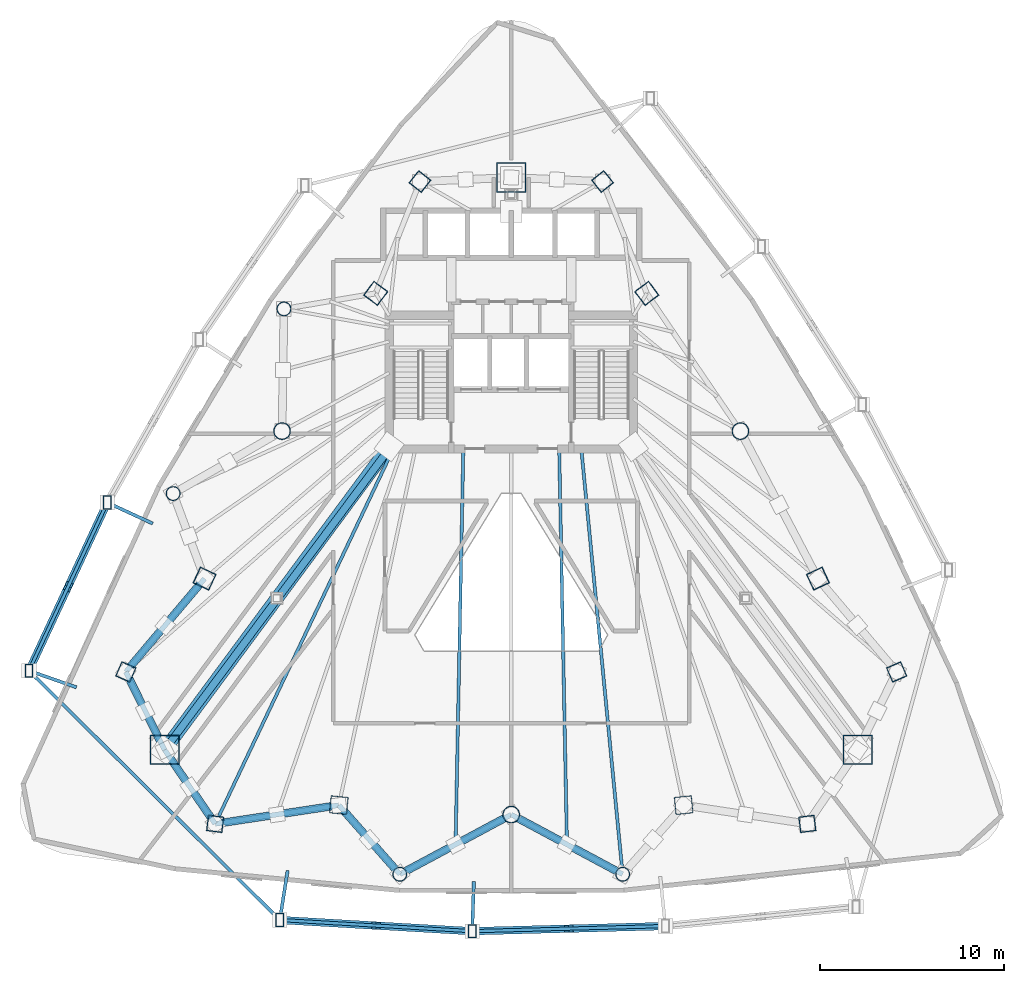
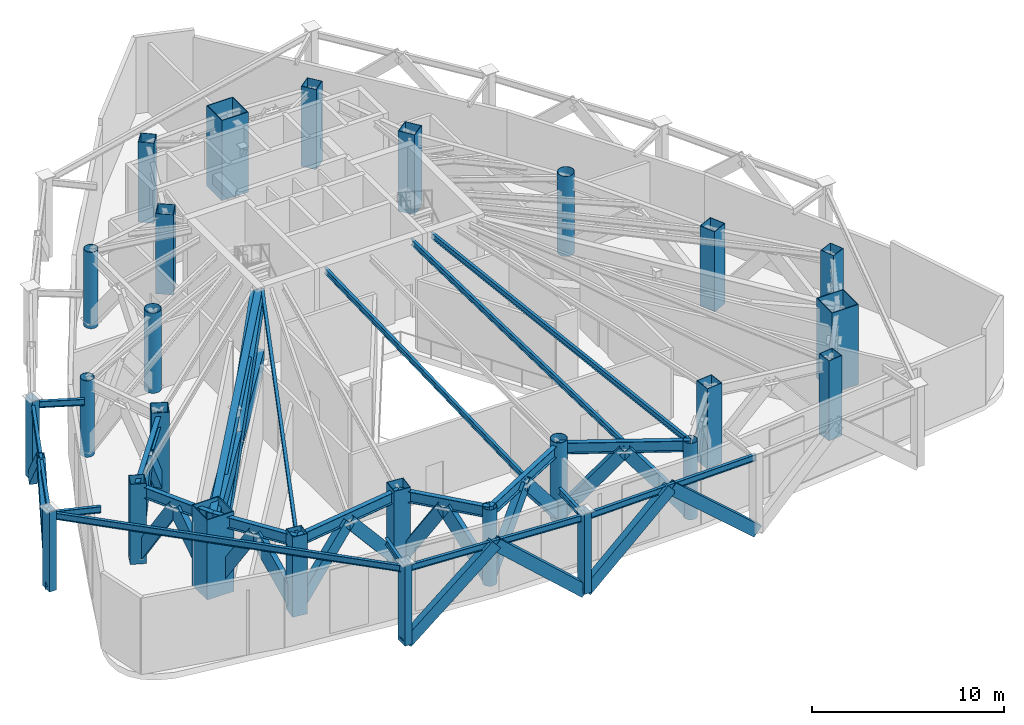
# One storey, part 1 of 10: 26 members, 22 columns, 20 beams.
"""IFC4 building model written with IfcOpenShell, lengths in metres."""

from ifc_helpers import new_model, si_unit, direction, frame, origin, origin_2d, place, context, subcontext, project, spatial, hollow_rectangle, hollow_circle, i_section, extrude, material, material_profile, profile_set, type_object, element, save


model = new_model("IFC4")

# Units and contexts
model_context = context("Model", 3, precision=1e-05, world=origin(), true_north=direction((0.0, 1.0)))
body_context = subcontext(model_context, "Body", "Model", "MODEL_VIEW")
ifc_project = project(units=[si_unit("LENGTHUNIT", "METRE"), si_unit("AREAUNIT", "SQUARE_METRE"), si_unit("VOLUMEUNIT", "CUBIC_METRE"), si_unit("PLANEANGLEUNIT", "RADIAN"), si_unit("MASSUNIT", "GRAM", prefix="KILO")], contexts=[model_context])

# Site, building, storey
site_placement = place(None, origin())
site = spatial("IfcSite", under=ifc_project, at=site_placement, CompositionType="ELEMENT")
building_placement = place(site_placement, origin())
building = spatial("IfcBuilding", under=site, at=building_placement, Name="Orvanel Arch Residences", CompositionType="ELEMENT")
storey_placement = place(building_placement, frame((0.0, 0.0, 101.60009765625)))
storey = spatial("IfcBuildingStorey", under=building, at=storey_placement, Name="L28", CompositionType="ELEMENT", Elevation=101.60009765625)

# Columns
ifc_material_1 = material(Name="Structural steel AS/NZS 1163 C450L0 (Grade 450)", Category="steel")
ifc_material_profile_1 = material_profile(ifc_material_1, hollow_circle(Radius=0.381103515625, WallThickness=0.02197265625, at=origin_2d()), Name="CHS762x22")
ifc_profile_set_1 = profile_set([ifc_material_profile_1], Name="Structural steel AS/NZS 1163 C450L0 (Grade 450)")
column_type_1 = type_object("IfcColumnType", Name="CC-762", PredefinedType="COLUMN", material=ifc_profile_set_1)
for number, where, z_axis, x_axis, name in (
    (1, (20.669921875, 34.27099609375, 0.0), (0.0, 0.0, 1.0), (1.0, 0.0, 0.0), "L28 Low-Rise Buttress Tube Column 01"),
    (2, (14.662109375, 24.256103515625, 0.0), (0.0, 0.0, 1.0), (1.0, 0.0, 0.0), "L28 Low-Rise Buttress Tube Column 02"),
    (3, (26.9580078125, 3.60498046875, 0.0), (0.0, 0.0, 1.0), (1.0, 0.0, 0.0), "L28 Low-Rise Buttress Tube Column 03"),
    (4, (39.0419921875, 3.60498046875, 0.0), (0.0, 0.0, 1.0), (1.0, 0.0, 0.0), "L28 Low-Rise Buttress Tube Column 04"),
):
    element("IfcColumn", number, at=place(storey_placement, frame(where, z_axis=z_axis, x_axis=x_axis)), inside=storey, type_object=column_type_1, Name=name, PredefinedType="COLUMN", context=body_context, shape_type="SweptSolid", body=[
        extrude(hollow_circle(Radius=0.381103515625, WallThickness=0.02197265625, at=origin_2d()), origin(), (0.0, 0.0, 1.0), 4.85986328125),
    ])
ifc_material_profile_2 = material_profile(ifc_material_1, hollow_circle(Radius=0.45703125, WallThickness=0.02490234375, at=origin_2d()), Name="CHS914x25")
ifc_profile_set_2 = profile_set([ifc_material_profile_2], Name="Structural steel AS/NZS 1163 C450L0 (Grade 450)")
column_type_2 = type_object("IfcColumnType", Name="CC-914", PredefinedType="COLUMN", material=ifc_profile_set_2)
for number, where, z_axis, x_axis, name in (
    (5, (20.569091796875, 27.64111328125, 0.0), (0.0, 0.0, 1.0), (1.0, 0.0, 0.0), "L28 High-Rise Tube Column 02"),
    (6, (33.0, 6.843994140625, 0.0), (0.0, 0.0, 1.0), (1.0, 0.0, 0.0), "L28 High-Rise Tube Column 05"),
    (7, (45.430908203125, 27.64111328125, 0.0), (0.0, 0.0, 1.0), (1.0, 0.0, 0.0), "L28 High-Rise Tube Column 08"),
):
    element("IfcColumn", number, at=place(storey_placement, frame(where, z_axis=z_axis, x_axis=x_axis)), inside=storey, type_object=column_type_2, Name=name, PredefinedType="COLUMN", context=body_context, shape_type="SweptSolid", body=[
        extrude(hollow_circle(Radius=0.45703125, WallThickness=0.02490234375, at=origin_2d()), origin(), (0.0, 0.0, 1.0), 5.099853515625),
    ])
ifc_material_2 = material(Name="Structural steel AS/NZS 3678 Grade 450", Category="steel")
ifc_material_profile_3 = material_profile(ifc_material_2, hollow_rectangle(XDim=1.60009765625, YDim=1.60009765625, WallThickness=0.050048828125, at=origin_2d()), Name="BOX1600x1600x50")
ifc_profile_set_3 = profile_set([ifc_material_profile_3], Name="Structural steel AS/NZS 3678 Grade 450")
column_type_3 = type_object("IfcColumnType", Name="MC-1600", PredefinedType="COLUMN", material=ifc_profile_set_3)
for number, where, z_axis, x_axis, name in (
    (8, (33.0, 41.39794921875, 0.0), (0.0, 0.0, 1.0), (1.0, 0.0, 0.0), "L28 Corner Mega-Column 1"),
    (9, (14.198974609375, 10.35107421875, 0.0), (0.0, 0.0, 1.0), (1.0, 0.0, 0.0), "L28 Corner Mega-Column 2"),
    (10, (51.801025390625, 10.35107421875, 0.0), (0.0, 0.0, 1.0), (1.0, 0.0, 0.0), "L28 Corner Mega-Column 3"),
):
    element("IfcColumn", number, at=place(storey_placement, frame(where, z_axis=z_axis, x_axis=x_axis)), inside=storey, type_object=column_type_3, Name=name, PredefinedType="COLUMN", context=body_context, shape_type="SweptSolid", body=[
        extrude(hollow_rectangle(XDim=1.60009765625, YDim=1.60009765625, WallThickness=0.050048828125, at=origin_2d()), origin(), (0.0, 0.0, 1.0), 5.099853515625),
    ])
ifc_material_3 = material(Name="Structural steel AS/NZS 3678 Grade 350", Category="steel")
ifc_material_profile_4 = material_profile(ifc_material_3, hollow_rectangle(XDim=0.85009765625, YDim=0.85009765625, WallThickness=0.028076171875, at=origin_2d()), Name="BOX850x850x28")
ifc_profile_set_4 = profile_set([ifc_material_profile_4], Name="Structural steel AS/NZS 3678 Grade 350")
column_type_4 = type_object("IfcColumnType", Name="TC-850", PredefinedType="COLUMN", material=ifc_profile_set_4)
for number, where, z_axis, x_axis, name in (
    (11, (28.050048828125, 41.177978515625, 0.0), (0.0, 0.0, 1.0), (0.623879596709, 0.781520472419, 0.0), "L28 Mid-Rise Buttress Tube Column 01"),
    (12, (12.094970703125, 14.580078125, 0.0), (0.0, 0.0, 1.0), (0.397147890635, 0.917754625684, 0.0), "L28 Mid-Rise Buttress Tube Column 02"),
    (13, (16.94091796875, 6.339111328125, 0.0), (0.0, 0.0, 1.0), (-0.99189444259, 0.127064608601, 0.0), "L28 Mid-Rise Buttress Tube Column 03"),
    (14, (49.05908203125, 6.339111328125, 0.0), (0.0, 0.0, 1.0), (0.99189444259, 0.127064608601, 0.0), "L28 Mid-Rise Buttress Tube Column 04"),
    (15, (53.905029296875, 14.580078125, 0.0), (0.0, 0.0, 1.0), (-0.397147890635, 0.917754625684, 0.0), "L28 Mid-Rise Buttress Tube Column 05"),
    (16, (37.949951171875, 41.177978515625, 0.0), (0.0, 0.0, 1.0), (-0.623879596709, 0.781520472419, 0.0), "L28 Mid-Rise Buttress Tube Column 06"),
):
    element("IfcColumn", number, at=place(storey_placement, frame(where, z_axis=z_axis, x_axis=x_axis)), inside=storey, type_object=column_type_4, Name=name, PredefinedType="COLUMN", context=body_context, shape_type="SweptSolid", body=[
        extrude(hollow_rectangle(XDim=0.85009765625, YDim=0.85009765625, WallThickness=0.028076171875, at=origin_2d()), origin(), (0.0, 0.0, 1.0), 5.099853515625),
    ])
ifc_material_profile_5 = material_profile(ifc_material_3, hollow_rectangle(XDim=0.949951171875, YDim=0.949951171875, WallThickness=0.031982421875, at=origin_2d()), Name="BOX950x950x32")
ifc_profile_set_5 = profile_set([ifc_material_profile_5], Name="Structural steel AS/NZS 3678 Grade 350")
column_type_5 = type_object("IfcColumnType", Name="TC-950", PredefinedType="COLUMN", material=ifc_profile_set_5)
for number, where, z_axis, x_axis, name in (
    (17, (25.64794921875, 35.113037109375, 0.0), (0.0, 0.0, 1.0), (0.600420225326, 0.799684658487, 0.0), "L28 High-Rise Tube Column 01"),
    (18, (16.366943359375, 19.64208984375, 0.0), (0.0, 0.0, 1.0), (0.422618261741, 0.906307787037, 0.0), "L28 High-Rise Tube Column 03"),
    (19, (23.64892578125, 7.35498046875, 0.0), (0.0, 0.0, 1.0), (-0.994880708829, 0.101056297183, 0.0), "L28 High-Rise Tube Column 04"),
    (20, (42.35107421875, 7.35498046875, 0.0), (0.0, 0.0, 1.0), (0.994880708829, 0.101056297183, 0.0), "L28 High-Rise Tube Column 06"),
    (21, (49.633056640625, 19.64208984375, 0.0), (0.0, 0.0, 1.0), (-0.422618261741, 0.906307787037, 0.0), "L28 High-Rise Tube Column 07"),
    (22, (40.35205078125, 35.113037109375, 0.0), (0.0, 0.0, 1.0), (-0.600420225326, 0.799684658487, 0.0), "L28 High-Rise Tube Column 09"),
):
    element("IfcColumn", number, at=place(storey_placement, frame(where, z_axis=z_axis, x_axis=x_axis)), inside=storey, type_object=column_type_5, Name=name, PredefinedType="COLUMN", context=body_context, shape_type="SweptSolid", body=[
        extrude(hollow_rectangle(XDim=0.949951171875, YDim=0.949951171875, WallThickness=0.031982421875, at=origin_2d()), origin(), (0.0, 0.0, 1.0), 5.099853515625),
    ])

# Beams
ifc_material_profile_6 = material_profile(ifc_material_3, i_section(OverallWidth=0.39990234375, OverallDepth=1.02392578125, WebThickness=0.01611328125, FlangeThickness=0.031982421875, at=origin_2d()), Name="1000WB322")
ifc_profile_set_6 = profile_set([ifc_material_profile_6], Name="Structural steel AS/NZS 3678 Grade 350")
beam_type_1 = type_object("IfcBeamType", Name="BG-1000WB", PredefinedType="BEAM", material=ifc_profile_set_6)
beam_1_placement = place(storey_placement, frame((26.375, 26.675048828125, 4.347900390625), z_axis=(-0.597893733742, -0.801575375839, 0.0), x_axis=(0.801575375839, -0.597893733742, 0.0)))
element("IfcBeam", 23, at=beam_1_placement, inside=storey, type_object=beam_type_1, Name="L28 South-West Radial Girder", PredefinedType="BEAM", context=body_context, shape_type="SweptSolid", body=[
    extrude(i_section(OverallWidth=0.39990234375, OverallDepth=1.02392578125, WebThickness=0.01611328125, FlangeThickness=0.031982421875, at=origin_2d()), origin(), (0.0, 0.0, 1.0), 20.36474609375),
])
ifc_material_4 = material(Name="Structural steel AS/NZS 3679.1 Grade 300 (300 MPa)", Category="steel")
ifc_material_profile_7 = material_profile(ifc_material_4, i_section(OverallWidth=0.1708984375, OverallDepth=0.35595703125, WebThickness=0.00732421875, FlangeThickness=0.011474609375, at=origin_2d()), Name="360UB50.7")
ifc_profile_set_7 = profile_set([ifc_material_profile_7], Name="Structural steel AS/NZS 3679.1 Grade 300 (300 MPa)")
beam_type_2 = type_object("IfcBeamType", Name="BJ-360UB", PredefinedType="JOIST", material=ifc_profile_set_7)
for number, where, z_axis, x_axis, name in (
    (24, (30.39990234375, 26.675048828125, 4.681884765625), (-0.019617680075, -0.999807554797, 0.0), (0.999807554797, -0.019617680075, 0.0), "L28 WSW2 Wing Floor Joist"),
    (25, (35.60009765625, 26.675048828125, 4.681884765625), (0.019617680075, -0.999807554797, 0.0), (0.999807554797, 0.019617680075, 0.0), "L28 ESE2 Wing Floor Joist"),
):
    element("IfcBeam", number, at=place(storey_placement, frame(where, z_axis=z_axis, x_axis=x_axis)), inside=storey, type_object=beam_type_2, Name=name, PredefinedType="JOIST", context=body_context, shape_type="SweptSolid", body=[
        extrude(i_section(OverallWidth=0.1708984375, OverallDepth=0.35595703125, WebThickness=0.00732421875, FlangeThickness=0.011474609375, at=origin_2d()), origin(), (0.0, 0.0, 1.0), 21.455078125),
    ])
beam_2_placement = place(storey_placement, frame((26.60009765625, 26.675048828125, 4.681884765625), z_axis=(-0.429042657795, -0.903284228686, 0.0), x_axis=(0.903284228686, -0.429042657795, 0.0)))
element("IfcBeam", 26, at=beam_2_placement, inside=storey, type_object=beam_type_2, Name="L28 MSW Wing Floor Joist", PredefinedType="JOIST", context=body_context, shape_type="SweptSolid", body=[
    extrude(i_section(OverallWidth=0.1708984375, OverallDepth=0.35595703125, WebThickness=0.00732421875, FlangeThickness=0.011474609375, at=origin_2d()), origin(), (0.0, 0.0, 1.0), 22.513427734375),
])
beam_3_placement = place(storey_placement, frame((36.800048828125, 26.675048828125, 4.681884765625), z_axis=(0.096724091756, -0.995311232768, 0.0), x_axis=(0.995311232768, 0.096724091756, 0.0)))
element("IfcBeam", 27, at=beam_3_placement, inside=storey, type_object=beam_type_2, Name="L28 LSE Wing Floor Joist", PredefinedType="JOIST", context=body_context, shape_type="SweptSolid", body=[
    extrude(i_section(OverallWidth=0.1708984375, OverallDepth=0.35595703125, WebThickness=0.00732421875, FlangeThickness=0.011474609375, at=origin_2d()), origin(), (0.0, 0.0, 1.0), 23.1787109375),
])

# Members
ifc_material_profile_8 = material_profile(ifc_material_3, hollow_rectangle(XDim=0.419921875, YDim=0.719970703125, WallThickness=0.02490234375, at=origin_2d()), Name="RHS720x420x25")
ifc_profile_set_8 = profile_set([ifc_material_profile_8], Name="Structural steel AS/NZS 3678 Grade 350")
member_type_1 = type_object("IfcMemberType", Name="BR-720RHS", PredefinedType="BRACE", material=ifc_profile_set_8)
for number, where, z_axis, x_axis, name in (
    (28, (16.366943359375, 19.64208984375, 0.2998046875), (-0.410701245615, -0.486654453456, 0.771033027686), (0.764224490659, -0.644950329775, 0.0), "L28 Belt-Truss Chevron 01.1"),
    (29, (12.094970703125, 14.580078125, 0.2998046875), (0.410701245615, 0.486654453456, 0.771033027686), (-0.764224490659, 0.644950329775, 0.0), "L28 Belt-Truss Chevron 01.2"),
):
    element("IfcMember", number, at=place(storey_placement, frame(where, z_axis=z_axis, x_axis=x_axis)), inside=storey, type_object=member_type_1, Name=name, PredefinedType="BRACE", context=body_context, shape_type="SweptSolid", body=[
        extrude(hollow_rectangle(XDim=0.419921875, YDim=0.719970703125, WallThickness=0.02490234375, at=origin_2d()), origin(), (0.0, 0.0, 1.0), 5.200927734375),
    ])
member_1_placement = place(storey_placement, frame((12.094970703125, 14.580078125, 0.2998046875), z_axis=(0.226062238647, -0.454275452413, 0.861701617494), x_axis=(0.895273400092, 0.44551715914, 0.0)))
element("IfcMember", 30, at=member_1_placement, inside=storey, type_object=member_type_1, Name="L28 Belt-Truss Chevron 02.1", PredefinedType="BRACE", context=body_context, shape_type="SweptSolid", body=[
    extrude(hollow_rectangle(XDim=0.419921875, YDim=0.719970703125, WallThickness=0.02490234375, at=origin_2d()), origin(), (0.0, 0.0, 1.0), 4.653564453125),
])
member_2_placement = place(storey_placement, frame((14.198974609375, 10.35107421875, 0.2998046875), z_axis=(-0.22604068618, 0.454441973631, 0.861619464029), x_axis=(-0.89535544198, -0.445352256665, 0.0)))
element("IfcMember", 31, at=member_2_placement, inside=storey, type_object=member_type_1, Name="L28 Belt-Truss Chevron 02.2", PredefinedType="BRACE", context=body_context, shape_type="SweptSolid", body=[
    extrude(hollow_rectangle(XDim=0.419921875, YDim=0.719970703125, WallThickness=0.02490234375, at=origin_2d()), origin(), (0.0, 0.0, 1.0), 4.654052734375),
])
member_3_placement = place(storey_placement, frame((14.198974609375, 10.35107421875, 0.2998046875), z_axis=(0.292421015586, -0.427853184663, 0.855237745903), x_axis=(0.825595495301, 0.56426241957, 0.0)))
element("IfcMember", 32, at=member_3_placement, inside=storey, type_object=member_type_1, Name="L28 Belt-Truss Chevron 03.1", PredefinedType="BRACE", context=body_context, shape_type="SweptSolid", body=[
    extrude(hollow_rectangle(XDim=0.419921875, YDim=0.719970703125, WallThickness=0.02490234375, at=origin_2d()), origin(), (0.0, 0.0, 1.0), 4.688720703125),
])
member_4_placement = place(storey_placement, frame((16.94091796875, 6.339111328125, 0.2998046875), z_axis=(-0.29237991119, 0.427817159454, 0.855269820355), x_axis=(-0.825610313036, -0.564240738522, 0.0)))
element("IfcMember", 33, at=member_4_placement, inside=storey, type_object=member_type_1, Name="L28 Belt-Truss Chevron 03.2", PredefinedType="BRACE", context=body_context, shape_type="SweptSolid", body=[
    extrude(hollow_rectangle(XDim=0.419921875, YDim=0.719970703125, WallThickness=0.02490234375, at=origin_2d()), origin(), (0.0, 0.0, 1.0), 4.6884765625),
])
for number, where, z_axis, x_axis, name in (
    (34, (16.94091796875, 6.339111328125, 0.2998046875), (0.6385695785, 0.096682539182, 0.763466685607), (-0.149698779423, 0.988731649862, 0.0), "L28 Belt-Truss Chevron 04.1"),
    (35, (23.64892578125, 7.35498046875, 0.2998046875), (-0.6385667081, -0.09672858637, 0.763463253788), (0.149769136012, -0.988720994972, 0.0), "L28 Belt-Truss Chevron 04.2"),
):
    element("IfcMember", number, at=place(storey_placement, frame(where, z_axis=z_axis, x_axis=x_axis)), inside=storey, type_object=member_type_1, Name=name, PredefinedType="BRACE", context=body_context, shape_type="SweptSolid", body=[
        extrude(hollow_rectangle(XDim=0.419921875, YDim=0.719970703125, WallThickness=0.02490234375, at=origin_2d()), origin(), (0.0, 0.0, 1.0), 5.25244140625),
    ])
member_5_placement = place(storey_placement, frame((23.64892578125, 7.35498046875, 0.2998046875), z_axis=(0.350016501555, -0.396771473349, 0.848563990855), x_axis=(0.749909089646, 0.66154089614, 0.0)))
element("IfcMember", 36, at=member_5_placement, inside=storey, type_object=member_type_1, Name="L28 Belt-Truss Chevron 05.1", PredefinedType="BRACE", context=body_context, shape_type="SweptSolid", body=[
    extrude(hollow_rectangle(XDim=0.419921875, YDim=0.719970703125, WallThickness=0.02490234375, at=origin_2d()), origin(), (0.0, 0.0, 1.0), 4.7255859375),
])
member_6_placement = place(storey_placement, frame((26.9580078125, 3.60498046875, 0.2998046875), z_axis=(-0.350197816455, 0.3967427689, 0.848502601455), x_axis=(-0.74971534373, -0.661760457701, 0.0)))
element("IfcMember", 37, at=member_6_placement, inside=storey, type_object=member_type_1, Name="L28 Belt-Truss Chevron 05.2", PredefinedType="BRACE", context=body_context, shape_type="SweptSolid", body=[
    extrude(hollow_rectangle(XDim=0.419921875, YDim=0.719970703125, WallThickness=0.02490234375, at=origin_2d()), origin(), (0.0, 0.0, 1.0), 4.72607421875),
])
member_7_placement = place(storey_placement, frame((26.9580078125, 3.60498046875, 0.2998046875), z_axis=(0.572674059765, 0.306931821914, 0.760156087898), x_axis=(-0.4723913935, 0.881388887692, 0.0)))
element("IfcMember", 38, at=member_7_placement, inside=storey, type_object=member_type_1, Name="L28 Belt-Truss Chevron 06.1", PredefinedType="BRACE", context=body_context, shape_type="SweptSolid", body=[
    extrude(hollow_rectangle(XDim=0.419921875, YDim=0.719970703125, WallThickness=0.02490234375, at=origin_2d()), origin(), (0.0, 0.0, 1.0), 5.275146484375),
])
for number, where, z_axis, x_axis, name in (
    (39, (33.0, 6.843994140625, 0.2998046875), (-0.572649651409, -0.307057575327, 0.760123688734), (0.47255737057, -0.881299910087, 0.0), "L28 Belt-Truss Chevron 06.2"),
    (40, (33.0, 6.843994140625, 0.2998046875), (0.572649651409, -0.307057575327, 0.760123688734), (0.47255737057, 0.881299910087, 0.0), "L28 Belt-Truss Chevron 07.1"),
):
    element("IfcMember", number, at=place(storey_placement, frame(where, z_axis=z_axis, x_axis=x_axis)), inside=storey, type_object=member_type_1, Name=name, PredefinedType="BRACE", context=body_context, shape_type="SweptSolid", body=[
        extrude(hollow_rectangle(XDim=0.419921875, YDim=0.719970703125, WallThickness=0.02490234375, at=origin_2d()), origin(), (0.0, 0.0, 1.0), 5.275390625),
    ])
member_8_placement = place(storey_placement, frame((39.0419921875, 3.60498046875, 0.2998046875), z_axis=(-0.572674059765, 0.306931821914, 0.760156087898), x_axis=(-0.4723913935, -0.881388887692, 0.0)))
element("IfcMember", 41, at=member_8_placement, inside=storey, type_object=member_type_1, Name="L28 Belt-Truss Chevron 07.2", PredefinedType="BRACE", context=body_context, shape_type="SweptSolid", body=[
    extrude(hollow_rectangle(XDim=0.419921875, YDim=0.719970703125, WallThickness=0.02490234375, at=origin_2d()), origin(), (0.0, 0.0, 1.0), 5.275146484375),
])
ifc_material_profile_9 = material_profile(ifc_material_3, hollow_rectangle(XDim=0.419921875, YDim=0.719970703125, WallThickness=0.02490234375, at=origin_2d()), Name="RHS720x420x25")
ifc_profile_set_9 = profile_set([ifc_material_profile_9], Name="Structural steel AS/NZS 3678 Grade 350")
member_type_2 = type_object("IfcMemberType", Name="BR-720RHS-EXT", PredefinedType="BRACE", material=ifc_profile_set_9)
for number, where, z_axis, x_axis, name in (
    (42, (11.092041015625, 23.763916015625, 0.0), (-0.310167059803, -0.664964267279, 0.679425432447), (0.90626125499, -0.422718035698, 0.0), "L28 Exterior Sky-Garden V-Frame Chevron F1B3.1"),
    (43, (6.841064453125, 14.64794921875, 0.0), (0.31003093942, 0.665013515507, 0.679439357702), (-0.906344301858, 0.422539946619, 0.0), "L28 Exterior Sky-Garden V-Frame Chevron F1B3.2"),
):
    element("IfcMember", number, at=place(storey_placement, frame(where, z_axis=z_axis, x_axis=x_axis)), inside=storey, type_object=member_type_2, Name=name, PredefinedType="BRACE", context=body_context, shape_type="SweptSolid", body=[
        extrude(hollow_rectangle(XDim=0.419921875, YDim=0.719970703125, WallThickness=0.02490234375, at=origin_2d()), origin(), (0.0, 0.0, 1.0), 6.854248046875),
    ])
for number, where, z_axis, x_axis, name in (
    (44, (20.447021484375, 1.1259765625, 0.0), (0.745311416504, -0.043423310101, 0.665300915804), (0.058163335433, 0.998307080217, 0.0), "L28 Exterior Sky-Garden V-Frame Chevron F2B1.1"),
    (45, (30.881103515625, 0.51806640625, 0.0), (-0.745311416504, 0.043423310101, 0.665300915804), (-0.058163335433, -0.998307080217, 0.0), "L28 Exterior Sky-Garden V-Frame Chevron F2B1.2"),
):
    element("IfcMember", number, at=place(storey_placement, frame(where, z_axis=z_axis, x_axis=x_axis)), inside=storey, type_object=member_type_2, Name=name, PredefinedType="BRACE", context=body_context, shape_type="SweptSolid", body=[
        extrude(hollow_rectangle(XDim=0.419921875, YDim=0.719970703125, WallThickness=0.02490234375, at=origin_2d()), origin(), (0.0, 0.0, 1.0), 6.999755859375),
    ])
member_9_placement = place(storey_placement, frame((30.881103515625, 0.51806640625, 0.0), z_axis=(0.747256825742, 0.019814023666, 0.664239897061), x_axis=(-0.026506364638, 0.999648644592, 0.0)))
element("IfcMember", 46, at=member_9_placement, inside=storey, type_object=member_type_2, Name="L28 Exterior Sky-Garden V-Frame Chevron F2B2.1", PredefinedType="BRACE", context=body_context, shape_type="SweptSolid", body=[
    extrude(hollow_rectangle(XDim=0.419921875, YDim=0.719970703125, WallThickness=0.02490234375, at=origin_2d()), origin(), (0.0, 0.0, 1.0), 7.010986328125),
])
member_10_placement = place(storey_placement, frame((41.360107421875, 0.7958984375, 0.0), z_axis=(-0.747318327677, -0.019811961443, 0.66417076366), x_axis=(0.02650142819, -0.999648775473, 0.0)))
element("IfcMember", 47, at=member_10_placement, inside=storey, type_object=member_type_2, Name="L28 Exterior Sky-Garden V-Frame Chevron F2B2.2", PredefinedType="BRACE", context=body_context, shape_type="SweptSolid", body=[
    extrude(hollow_rectangle(XDim=0.419921875, YDim=0.719970703125, WallThickness=0.02490234375, at=origin_2d()), origin(), (0.0, 0.0, 1.0), 7.01171875),
])
ifc_material_profile_10 = material_profile(ifc_material_3, hollow_rectangle(XDim=0.419921875, YDim=0.719970703125, WallThickness=0.02490234375, at=origin_2d()), Name="RHS720x420x25")
ifc_profile_set_10 = profile_set([ifc_material_profile_10], Name="Structural steel AS/NZS 3678 Grade 350")
member_type_3 = type_object("IfcMemberType", Name="CH-720RHS-EXT", PredefinedType="CHORD", material=ifc_profile_set_10)
for number, where, z_axis, x_axis, name in (
    (48, (11.092041015625, 23.763916015625, 0.0), (0.0, 0.0, 1.0), (1.0, 0.0, 0.0), "L28 Outer Perimeter Frame Post 03"),
    (49, (6.841064453125, 14.64794921875, 0.0), (0.0, 0.0, 1.0), (1.0, 0.0, 0.0), "L28 Outer Perimeter Frame Post 04"),
    (50, (20.447021484375, 1.1259765625, 0.0), (0.0, 0.0, 1.0), (1.0, 0.0, 0.0), "L28 Outer Perimeter Frame Post 05"),
    (51, (30.881103515625, 0.51806640625, 0.0), (0.0, 0.0, 1.0), (1.0, 0.0, 0.0), "L28 Outer Perimeter Frame Post 06"),
):
    element("IfcMember", number, at=place(storey_placement, frame(where, z_axis=z_axis, x_axis=x_axis)), inside=storey, type_object=member_type_3, Name=name, PredefinedType="CHORD", context=body_context, shape_type="SweptSolid", body=[
        extrude(hollow_rectangle(XDim=0.419921875, YDim=0.719970703125, WallThickness=0.02490234375, at=origin_2d()), origin(), (0.0, 0.0, 1.0), 5.099853515625),
    ])

# Beams
ifc_material_profile_11 = material_profile(ifc_material_4, i_section(OverallWidth=0.177978515625, OverallDepth=0.406005859375, WebThickness=0.0078125, FlangeThickness=0.0126953125, at=origin_2d()), Name="410UB59.7")
ifc_profile_set_11 = profile_set([ifc_material_profile_11], Name="Structural steel AS/NZS 3679.1 Grade 300 (300 MPa)")
beam_type_3 = type_object("IfcBeamType", Name="OB-410UB-EXT", PredefinedType="SPANDREL", material=ifc_profile_set_11)
beam_4_placement = place(storey_placement, frame((13.553955078125, 22.6279296875, 4.656982421875), z_axis=(-0.907998911764, 0.418972524439, 0.0), x_axis=(-0.418972524439, -0.907998911764, 0.0)))
element("IfcBeam", 52, at=beam_4_placement, inside=storey, type_object=beam_type_3, Name="L28 Outer Frame Radial Tie Beam 03", PredefinedType="SPANDREL", context=body_context, shape_type="SweptSolid", body=[
    extrude(i_section(OverallWidth=0.177978515625, OverallDepth=0.406005859375, WebThickness=0.0078125, FlangeThickness=0.0126953125, at=origin_2d()), origin(), (0.0, 0.0, 1.0), 2.71142578125),
])
beam_5_placement = place(storey_placement, frame((11.092041015625, 23.763916015625, 4.656982421875), z_axis=(-0.422628994893, -0.906302782008, 0.0), x_axis=(0.906302782008, -0.422628994893, 0.0)))
element("IfcBeam", 53, at=beam_5_placement, inside=storey, type_object=beam_type_3, Name="L28 Outer Perimeter Floor Ring Beam 03", PredefinedType="SPANDREL", context=body_context, shape_type="SweptSolid", body=[
    extrude(i_section(OverallWidth=0.177978515625, OverallDepth=0.406005859375, WebThickness=0.0078125, FlangeThickness=0.0126953125, at=origin_2d()), origin(), (0.0, 0.0, 1.0), 10.058349609375),
])
beam_6_placement = place(storey_placement, frame((9.4150390625, 13.74609375, 4.656982421875), z_axis=(-0.943748055821, 0.330665400569, 0.0), x_axis=(-0.330665400569, -0.943748055821, 0.0)))
element("IfcBeam", 54, at=beam_6_placement, inside=storey, type_object=beam_type_3, Name="L28 Outer Frame Radial Tie Beam 04", PredefinedType="SPANDREL", context=body_context, shape_type="SweptSolid", body=[
    extrude(i_section(OverallWidth=0.177978515625, OverallDepth=0.406005859375, WebThickness=0.0078125, FlangeThickness=0.0126953125, at=origin_2d()), origin(), (0.0, 0.0, 1.0), 2.727294921875),
])
beam_7_placement = place(storey_placement, frame((6.841064453125, 14.64794921875, 4.656982421875), z_axis=(0.709292488407, -0.70491429684, 0.0), x_axis=(0.70491429684, 0.709292488407, 0.0)))
element("IfcBeam", 55, at=beam_7_placement, inside=storey, type_object=beam_type_3, Name="L28 Outer Perimeter Floor Ring Beam 04", PredefinedType="SPANDREL", context=body_context, shape_type="SweptSolid", body=[
    extrude(i_section(OverallWidth=0.177978515625, OverallDepth=0.406005859375, WebThickness=0.0078125, FlangeThickness=0.0126953125, at=origin_2d()), origin(), (0.0, 0.0, 1.0), 19.182373046875),
])
beam_8_placement = place(storey_placement, frame((20.8701171875, 3.806884765625, 4.656982421875), z_axis=(-0.155888665651, -0.987774632151, 0.0), x_axis=(0.987774632151, -0.155888665651, 0.0)))
element("IfcBeam", 56, at=beam_8_placement, inside=storey, type_object=beam_type_3, Name="L28 Outer Frame Radial Tie Beam 05", PredefinedType="SPANDREL", context=body_context, shape_type="SweptSolid", body=[
    extrude(i_section(OverallWidth=0.177978515625, OverallDepth=0.406005859375, WebThickness=0.0078125, FlangeThickness=0.0126953125, at=origin_2d()), origin(), (0.0, 0.0, 1.0), 2.714111328125),
])
beam_9_placement = place(storey_placement, frame((20.447021484375, 1.1259765625, 4.656982421875), z_axis=(0.998307080217, -0.058163335433, 0.0), x_axis=(0.058163335433, 0.998307080217, 0.0)))
element("IfcBeam", 57, at=beam_9_placement, inside=storey, type_object=beam_type_3, Name="L28 Outer Perimeter Floor Ring Beam 05", PredefinedType="SPANDREL", context=body_context, shape_type="SweptSolid", body=[
    extrude(i_section(OverallWidth=0.177978515625, OverallDepth=0.406005859375, WebThickness=0.0078125, FlangeThickness=0.0126953125, at=origin_2d()), origin(), (0.0, 0.0, 1.0), 10.45166015625),
])
beam_10_placement = place(storey_placement, frame((30.971923828125, 3.219970703125, 4.656982421875), z_axis=(-0.033594472148, -0.999435546417, 0.0), x_axis=(0.999435546417, -0.033594472148, 0.0)))
element("IfcBeam", 58, at=beam_10_placement, inside=storey, type_object=beam_type_3, Name="L28 Outer Frame Radial Tie Beam 06", PredefinedType="SPANDREL", context=body_context, shape_type="SweptSolid", body=[
    extrude(i_section(OverallWidth=0.177978515625, OverallDepth=0.406005859375, WebThickness=0.0078125, FlangeThickness=0.0126953125, at=origin_2d()), origin(), (0.0, 0.0, 1.0), 2.703369140625),
])
beam_11_placement = place(storey_placement, frame((30.881103515625, 0.51806640625, 4.656982421875), z_axis=(0.999648710041, 0.026503896184, 0.0), x_axis=(-0.026503896184, 0.999648710041, 0.0)))
element("IfcBeam", 59, at=beam_11_placement, inside=storey, type_object=beam_type_3, Name="L28 Outer Perimeter Floor Ring Beam 06", PredefinedType="SPANDREL", context=body_context, shape_type="SweptSolid", body=[
    extrude(i_section(OverallWidth=0.177978515625, OverallDepth=0.406005859375, WebThickness=0.0078125, FlangeThickness=0.0126953125, at=origin_2d()), origin(), (0.0, 0.0, 1.0), 10.482666015625),
])

# Members
ifc_material_profile_12 = material_profile(ifc_material_3, hollow_rectangle(XDim=0.719970703125, YDim=1.10009765625, WallThickness=0.035888671875, at=origin_2d()), Name="BOX1100x720x36")
ifc_profile_set_12 = profile_set([ifc_material_profile_12], Name="Structural steel AS/NZS 3678 Grade 350")
member_type_4 = type_object("IfcMemberType", Name="OR-1100BOX", PredefinedType="BRACE", material=ifc_profile_set_12)
for number, where, z_axis, x_axis, name in (
    (60, (26.375, 26.800048828125, 0.39990234375), (-0.584912228847, -0.790176276112, 0.183027695213), (0.803753474747, -0.594962479348, 0.0), "L28 Core Outrigger Brace 2-1"),
    (61, (26.375, 26.800048828125, 4.2099609375), (-0.584912228847, -0.790176276112, -0.183027695213), (0.803753474747, -0.594962479348, 0.0), "L28 Core Outrigger Brace 2-2"),
):
    element("IfcMember", number, at=place(storey_placement, frame(where, z_axis=z_axis, x_axis=x_axis)), inside=storey, type_object=member_type_4, Name=name, PredefinedType="BRACE", context=body_context, shape_type="SweptSolid", body=[
        extrude(hollow_rectangle(XDim=0.719970703125, YDim=1.10009765625, WallThickness=0.035888671875, at=origin_2d()), origin(), (0.0, 0.0, 1.0), 20.81689453125),
    ])

# Beams
ifc_material_profile_13 = material_profile(ifc_material_3, i_section(OverallWidth=0.27490234375, OverallDepth=0.699951171875, WebThickness=0.011962890625, FlangeThickness=0.02001953125, at=origin_2d()), Name="700WB150")
ifc_profile_set_13 = profile_set([ifc_material_profile_13], Name="Structural steel AS/NZS 3678 Grade 350")
beam_type_4 = type_object("IfcBeamType", Name="SP-700WB", PredefinedType="SPANDREL", material=ifc_profile_set_13)
beam_12_placement = place(storey_placement, frame((16.366943359375, 19.64208984375, 4.510009765625), z_axis=(-0.644950329775, -0.764224490659, 0.0), x_axis=(0.764224490659, -0.644950329775, 0.0)))
element("IfcBeam", 62, at=beam_12_placement, inside=storey, type_object=beam_type_4, Name="L28 Perimeter Spandrel Beam 01", PredefinedType="SPANDREL", context=body_context, shape_type="SweptSolid", body=[
    extrude(i_section(OverallWidth=0.27490234375, OverallDepth=0.699951171875, WebThickness=0.011962890625, FlangeThickness=0.02001953125, at=origin_2d()), origin(), (0.0, 0.0, 1.0), 6.623779296875),
])
beam_13_placement = place(storey_placement, frame((12.094970703125, 14.580078125, 4.510009765625), z_axis=(0.44543469453, -0.895314432425, 0.0), x_axis=(0.895314432425, 0.44543469453, 0.0)))
element("IfcBeam", 63, at=beam_13_placement, inside=storey, type_object=beam_type_4, Name="L28 Perimeter Spandrel Beam 02", PredefinedType="SPANDREL", context=body_context, shape_type="SweptSolid", body=[
    extrude(i_section(OverallWidth=0.27490234375, OverallDepth=0.699951171875, WebThickness=0.011962890625, FlangeThickness=0.02001953125, at=origin_2d()), origin(), (0.0, 0.0, 1.0), 4.723388671875),
])
beam_14_placement = place(storey_placement, frame((14.198974609375, 10.35107421875, 4.510009765625), z_axis=(0.564251579852, -0.825602903722, 0.0), x_axis=(0.825602903722, 0.564251579852, 0.0)))
element("IfcBeam", 64, at=beam_14_placement, inside=storey, type_object=beam_type_4, Name="L28 Perimeter Spandrel Beam 03", PredefinedType="SPANDREL", context=body_context, shape_type="SweptSolid", body=[
    extrude(i_section(OverallWidth=0.27490234375, OverallDepth=0.699951171875, WebThickness=0.011962890625, FlangeThickness=0.02001953125, at=origin_2d()), origin(), (0.0, 0.0, 1.0), 4.859375),
])
beam_15_placement = place(storey_placement, frame((16.94091796875, 6.339111328125, 4.510009765625), z_axis=(0.988726323014, 0.149733958002, 0.0), x_axis=(-0.149733958002, 0.988726323014, 0.0)))
element("IfcBeam", 65, at=beam_15_placement, inside=storey, type_object=beam_type_4, Name="L28 Perimeter Spandrel Beam 04", PredefinedType="SPANDREL", context=body_context, shape_type="SweptSolid", body=[
    extrude(i_section(OverallWidth=0.27490234375, OverallDepth=0.699951171875, WebThickness=0.011962890625, FlangeThickness=0.02001953125, at=origin_2d()), origin(), (0.0, 0.0, 1.0), 6.784423828125),
])
beam_16_placement = place(storey_placement, frame((23.64892578125, 7.35498046875, 4.510009765625), z_axis=(0.661650698195, -0.749812212209, 0.0), x_axis=(0.749812212209, 0.661650698195, 0.0)))
element("IfcBeam", 66, at=beam_16_placement, inside=storey, type_object=beam_type_4, Name="L28 Perimeter Spandrel Beam 05", PredefinedType="SPANDREL", context=body_context, shape_type="SweptSolid", body=[
    extrude(i_section(OverallWidth=0.27490234375, OverallDepth=0.699951171875, WebThickness=0.011962890625, FlangeThickness=0.02001953125, at=origin_2d()), origin(), (0.0, 0.0, 1.0), 5.001220703125),
])
for number, where, z_axis, x_axis, name in (
    (67, (26.9580078125, 3.60498046875, 4.510009765625), (0.881344400551, 0.472474388319, 0.0), (-0.472474388319, 0.881344400551, 0.0), "L28 Perimeter Spandrel Beam 06"),
    (68, (33.0, 6.843994140625, 4.510009765625), (0.881344400551, -0.472474388319, 0.0), (0.472474388319, 0.881344400551, 0.0), "L28 Perimeter Spandrel Beam 07"),
):
    element("IfcBeam", number, at=place(storey_placement, frame(where, z_axis=z_axis, x_axis=x_axis)), inside=storey, type_object=beam_type_4, Name=name, PredefinedType="SPANDREL", context=body_context, shape_type="SweptSolid", body=[
        extrude(i_section(OverallWidth=0.27490234375, OverallDepth=0.699951171875, WebThickness=0.011962890625, FlangeThickness=0.02001953125, at=origin_2d()), origin(), (0.0, 0.0, 1.0), 6.85546875),
    ])

save(model, "model.ifc")
